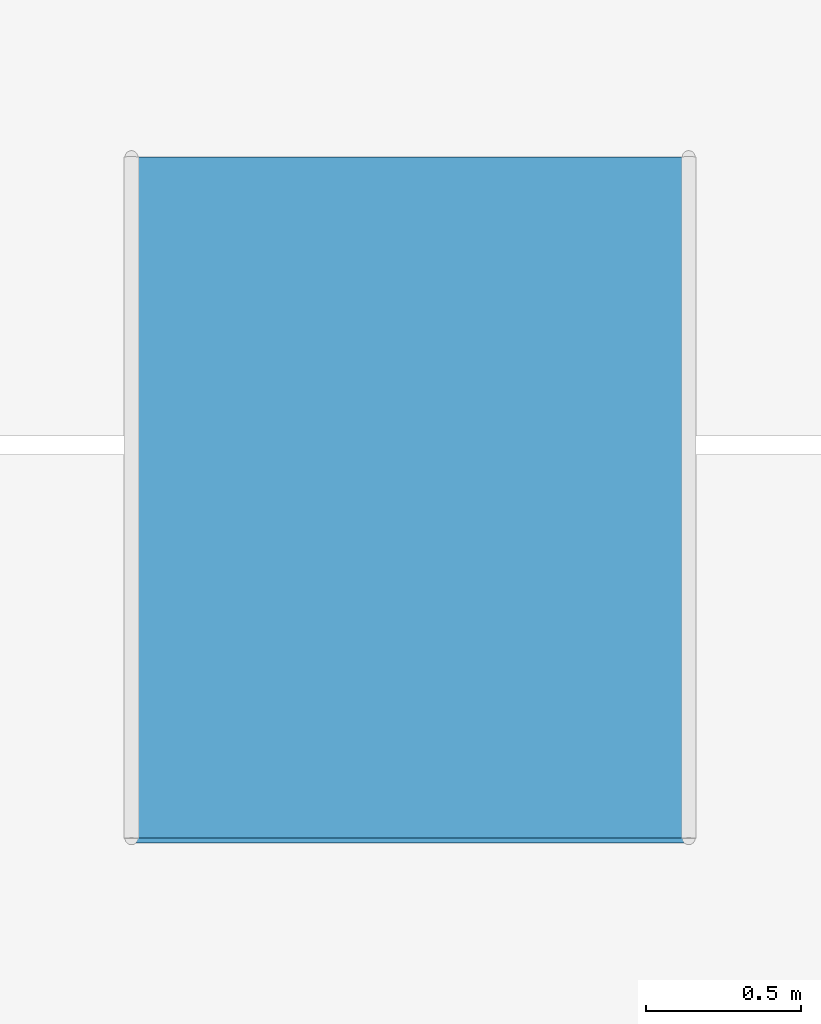
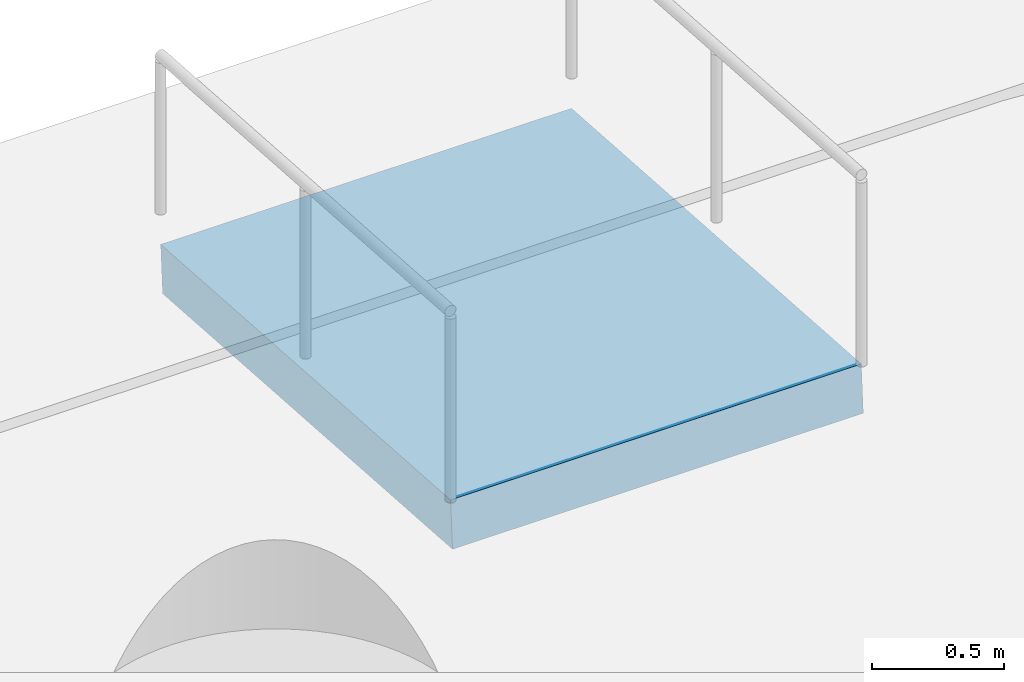
# One storey, part 13 of 16: 1 ramp flight, 1 element without a shape of its own.
"""IFC4 building model written with IfcOpenShell, lengths in metres."""

from ifc_helpers import new_model, si_unit, direction, frame, origin, place, context, subcontext, project, spatial, polyline, outline, extrude, material, layer, layer_set, type_object, element, aggregate, save


model = new_model("IFC4")

# Units and contexts
model_context = context("Model", 3, precision=1e-05, world=origin(), true_north=direction((0.0, 1.0)))
body_context = subcontext(model_context, "Body", "Model", "MODEL_VIEW")
ifc_project = project(units=[si_unit("LENGTHUNIT", "METRE"), si_unit("AREAUNIT", "SQUARE_METRE"), si_unit("VOLUMEUNIT", "CUBIC_METRE"), si_unit("PLANEANGLEUNIT", "RADIAN"), si_unit("MASSUNIT", "GRAM", prefix="KILO")], contexts=[model_context])

# Site, building, storey
site_placement = place(None, origin())
site = spatial("IfcSite", under=ifc_project, at=site_placement, CompositionType="ELEMENT")
building_placement = place(site_placement, origin())
building = spatial("IfcBuilding", under=site, at=building_placement, Name="Solvirekh Grand Hotel", CompositionType="ELEMENT")
storey_placement = place(building_placement, origin())
storey = spatial("IfcBuildingStorey", under=building, at=storey_placement, Name="L00", CompositionType="ELEMENT", Elevation=0.0)

# Ramp, ramp flight
ifc_material = material(Name="Concrete C40/50", Category="concrete")
ramp_type = type_object("IfcRampType", Name="Ramp_Access_1800", PredefinedType="STRAIGHT_RUN_RAMP", material=ifc_material)
ramp_placement = place(storey_placement, origin())
ramp = element("IfcRamp", 1, at=ramp_placement, inside=storey, type_object=ramp_type, Name="Accessible pedestrian entrance ramp AR-6", PredefinedType="STRAIGHT_RUN_RAMP")
ifc_layer = layer(ifc_material, 0.219970703125)
ifc_layer_set = layer_set([ifc_layer], Name="Concrete C40/50")
ramp_flight_type = type_object("IfcRampFlightType", Name="RampFlight_Acc_220", PredefinedType="STRAIGHT", material=ifc_layer_set)
ramp_flight_placement = place(storey_placement, frame((1.39990234375, 22.89990234375, 0.0), z_axis=(0.0, 0.067973799757, 0.997687106535), x_axis=(1.0, 0.0, 0.0)))
ramp_flight = element("IfcRampFlight", 2, at=ramp_flight_placement, type_object=ramp_flight_type, Name="Accessible pedestrian ramp flight AR-6", PredefinedType="STRAIGHT", context=body_context, shape_type="SweptSolid", body=[
    extrude(outline(polyline([(0.0, 0.0), (1.800048828125, 0.0), (1.800048828125, 2.20529592703762), (0.0, 2.20529592703762), (0.0, 0.0)])), origin(), (0.0, 0.0, -1.0), 0.219970703125),
])
aggregate(ramp, [ramp_flight])

save(model, "model.ifc")
